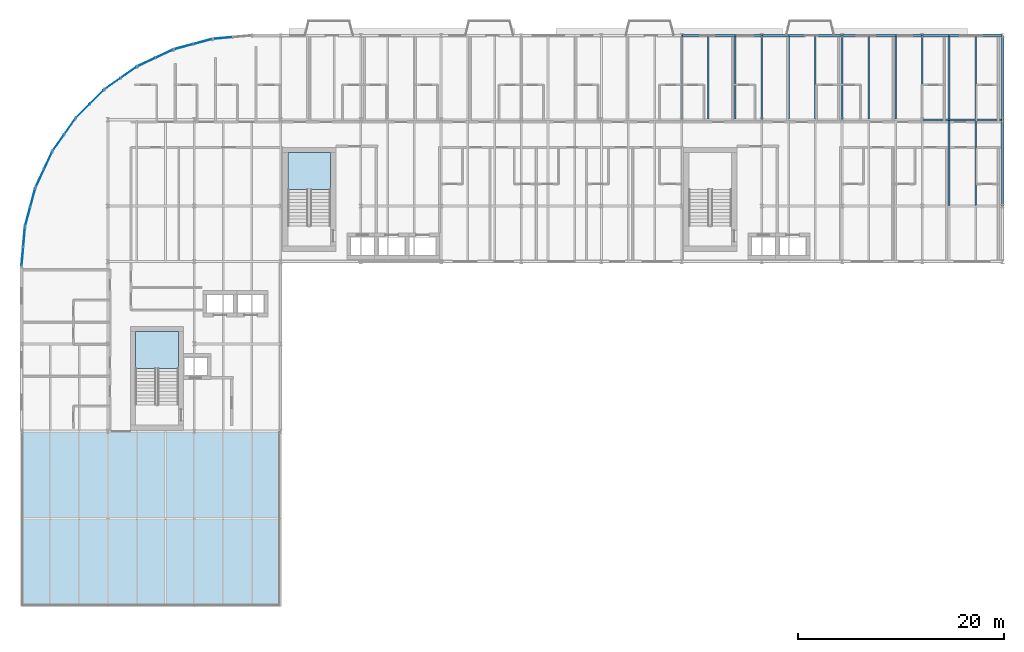
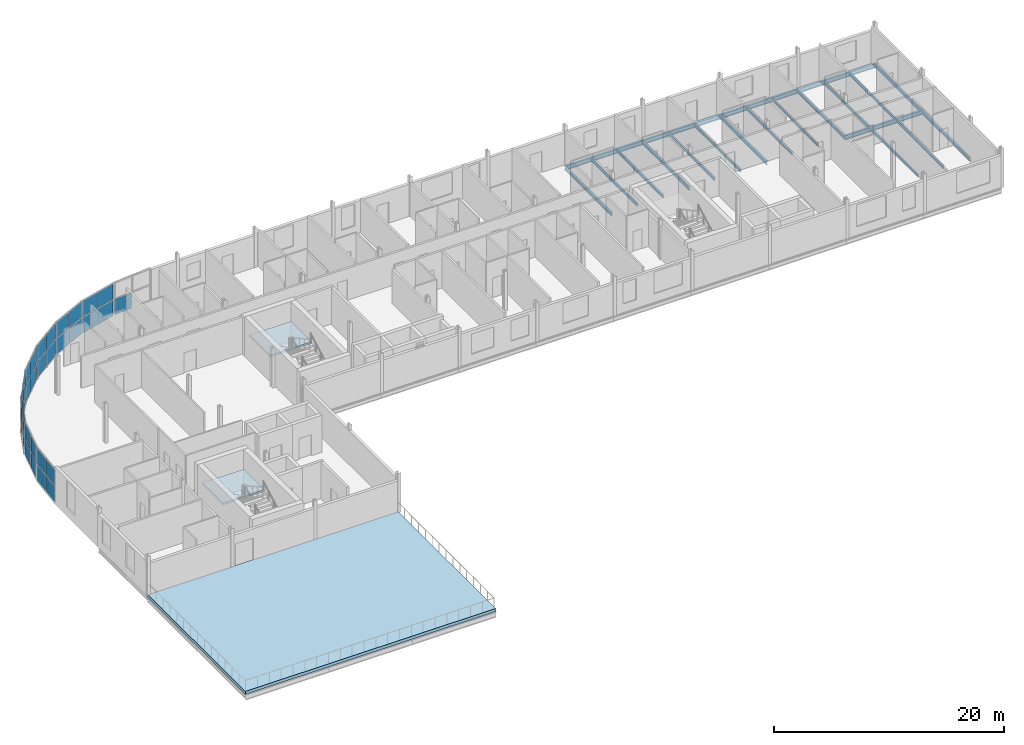
# One storey, part 9 of 22: 33 plates, 21 beams, 3 slabs, 11 elements without a shape of their own.
"""IFC4 building model written with IfcOpenShell, lengths in metres."""

from ifc_helpers import new_model, si_unit, direction, frame, origin, origin_2d, place, context, subcontext, project, spatial, polyline, rectangle, i_section, outline, extrude, material, layer, layer_set, material_profile, profile_set, type_object, element, aggregate, save


model = new_model("IFC4")

# Units and contexts
model_context = context("Model", 3, precision=1e-05, world=origin(), true_north=direction((0.0, 1.0)))
body_context = subcontext(model_context, "Body", "Model", "MODEL_VIEW")
ifc_project = project(units=[si_unit("LENGTHUNIT", "METRE"), si_unit("AREAUNIT", "SQUARE_METRE"), si_unit("VOLUMEUNIT", "CUBIC_METRE"), si_unit("PLANEANGLEUNIT", "RADIAN"), si_unit("MASSUNIT", "GRAM", prefix="KILO")], contexts=[model_context])

# Site, building, storey
site_placement = place(None, origin())
site = spatial("IfcSite", under=ifc_project, at=site_placement, CompositionType="ELEMENT")
building_placement = place(site_placement, origin())
building = spatial("IfcBuilding", under=site, at=building_placement, Name="Sefraquen Railside Congress Hotel", CompositionType="ELEMENT")
storey_placement = place(building_placement, frame((0.0, 0.0, 42.60009765625)))
storey = spatial("IfcBuildingStorey", under=building, at=storey_placement, Name="L10", CompositionType="ELEMENT", Elevation=42.60009765625)

# Beams
ifc_material_1 = material(Name="Steel S355JR", Category="steel")
ifc_material_profile_1 = material_profile(ifc_material_1, i_section(OverallWidth=0.169921875, OverallDepth=0.360107421875, WebThickness=0.008056640625, FlangeThickness=0.0126953125, FilletRadius=0.01806640625, at=origin_2d()), Name="IPE 360")
ifc_profile_set_1 = profile_set([ifc_material_profile_1], Name="Steel S355JR")
beam_type_1 = type_object("IfcBeamType", Name="TB-BM-360", PredefinedType="BEAM", material=ifc_profile_set_1)
for number, where, z_axis, x_axis, name in (
    (1, (64.199951171875, 109.800048828125, -0.400146484375), (0.0, 1.0, 0.0), (-1.0, 0.0, 0.0), "Floor beam BM-L10-2136"),
    (2, (72.0, 109.800048828125, -0.400146484375), (0.0, 1.0, 0.0), (-1.0, 0.0, 0.0), "Floor beam BM-L10-2139"),
    (3, (79.800048828125, 109.800048828125, -0.400146484375), (0.0, 1.0, 0.0), (-1.0, 0.0, 0.0), "Floor beam BM-L10-2142"),
    (4, (87.60009765625, 109.800048828125, -0.400146484375), (0.0, 1.0, 0.0), (-1.0, 0.0, 0.0), "Floor beam BM-L10-2145"),
):
    element("IfcBeam", number, at=place(storey_placement, frame(where, z_axis=z_axis, x_axis=x_axis)), inside=storey, type_object=beam_type_1, Name=name, PredefinedType="BEAM", context=body_context, shape_type="SweptSolid", body=[
        extrude(i_section(OverallWidth=0.169921875, OverallDepth=0.360107421875, WebThickness=0.008056640625, FlangeThickness=0.0126953125, FilletRadius=0.01806640625, at=origin_2d()), origin(), (0.0, 0.0, 1.0), 8.199951171875),
    ])
beam_1_placement = place(storey_placement, frame((95.39990234375, 101.39990234375, -0.400146484375), z_axis=(0.0, 1.0, 0.0), x_axis=(-1.0, 0.0, 0.0)))
element("IfcBeam", 5, at=beam_1_placement, inside=storey, type_object=beam_type_1, Name="Floor beam BM-L10-2147", PredefinedType="BEAM", context=body_context, shape_type="SweptSolid", body=[
    extrude(i_section(OverallWidth=0.169921875, OverallDepth=0.360107421875, WebThickness=0.008056640625, FlangeThickness=0.0126953125, FilletRadius=0.01806640625, at=origin_2d()), origin(), (0.0, 0.0, 1.0), 8.400146484375),
])
beam_2_placement = place(storey_placement, frame((95.39990234375, 109.800048828125, -0.400146484375), z_axis=(0.0, 1.0, 0.0), x_axis=(-1.0, 0.0, 0.0)))
element("IfcBeam", 6, at=beam_2_placement, inside=storey, type_object=beam_type_1, Name="Floor beam BM-L10-2148", PredefinedType="BEAM", context=body_context, shape_type="SweptSolid", body=[
    extrude(i_section(OverallWidth=0.169921875, OverallDepth=0.360107421875, WebThickness=0.008056640625, FlangeThickness=0.0126953125, FilletRadius=0.01806640625, at=origin_2d()), origin(), (0.0, 0.0, 1.0), 8.199951171875),
])
ifc_material_profile_2 = material_profile(ifc_material_1, i_section(OverallWidth=0.18994140625, OverallDepth=0.449951171875, WebThickness=0.009521484375, FlangeThickness=0.0146484375, FilletRadius=0.02099609375, at=origin_2d()), Name="IPE 450")
ifc_profile_set_2 = profile_set([ifc_material_profile_2], Name="Steel S355JR")
beam_type_2 = type_object("IfcBeamType", Name="TB-BM-450", PredefinedType="BEAM", material=ifc_profile_set_2)
beam_3_placement = place(storey_placement, frame((87.60009765625, 109.800048828125, -0.445068359375), z_axis=(1.0, 0.0, 0.0), x_axis=(0.0, 1.0, 0.0)))
element("IfcBeam", 7, at=beam_3_placement, inside=storey, type_object=beam_type_2, Name="Primary girder BM-L10-2090", PredefinedType="BEAM", context=body_context, shape_type="SweptSolid", body=[
    extrude(i_section(OverallWidth=0.18994140625, OverallDepth=0.449951171875, WebThickness=0.009521484375, FlangeThickness=0.0146484375, FilletRadius=0.02099609375, at=origin_2d()), origin(), (0.0, 0.0, 1.0), 7.7998046875),
])
for number, where, z_axis, x_axis, name in (
    (8, (64.199951171875, 118.0, -0.445068359375), (1.0, 0.0, 0.0), (0.0, 1.0, 0.0), "Primary girder BM-L10-2096"),
    (9, (72.0, 118.0, -0.445068359375), (1.0, 0.0, 0.0), (0.0, 1.0, 0.0), "Primary girder BM-L10-2097"),
    (10, (79.800048828125, 118.0, -0.445068359375), (1.0, 0.0, 0.0), (0.0, 1.0, 0.0), "Primary girder BM-L10-2098"),
):
    element("IfcBeam", number, at=place(storey_placement, frame(where, z_axis=z_axis, x_axis=x_axis)), inside=storey, type_object=beam_type_2, Name=name, PredefinedType="BEAM", context=body_context, shape_type="SweptSolid", body=[
        extrude(i_section(OverallWidth=0.18994140625, OverallDepth=0.449951171875, WebThickness=0.009521484375, FlangeThickness=0.0146484375, FilletRadius=0.02099609375, at=origin_2d()), origin(), (0.0, 0.0, 1.0), 7.800048828125),
    ])
beam_4_placement = place(storey_placement, frame((87.60009765625, 118.0, -0.445068359375), z_axis=(1.0, 0.0, 0.0), x_axis=(0.0, 1.0, 0.0)))
element("IfcBeam", 11, at=beam_4_placement, inside=storey, type_object=beam_type_2, Name="Primary girder BM-L10-2099", PredefinedType="BEAM", context=body_context, shape_type="SweptSolid", body=[
    extrude(i_section(OverallWidth=0.18994140625, OverallDepth=0.449951171875, WebThickness=0.009521484375, FlangeThickness=0.0146484375, FilletRadius=0.02099609375, at=origin_2d()), origin(), (0.0, 0.0, 1.0), 7.7998046875),
])
ifc_material_profile_3 = material_profile(ifc_material_1, i_section(OverallWidth=0.14990234375, OverallDepth=0.300048828125, WebThickness=0.007080078125, FlangeThickness=0.0107421875, FilletRadius=0.014892578125, at=origin_2d()), Name="IPE 300")
ifc_profile_set_3 = profile_set([ifc_material_profile_3], Name="Steel S355JR")
beam_type_3 = type_object("IfcBeamType", Name="TB-JST-300", PredefinedType="JOIST", material=ifc_profile_set_3)
for number, where, z_axis, x_axis, name in (
    (12, (66.800048828125, 109.875, -0.3701171875), (0.0, 1.0, 0.0), (-1.0, 0.0, 0.0), "Composite floor joist BM-L10-J1448"),
    (13, (69.39990234375, 109.875, -0.3701171875), (0.0, 1.0, 0.0), (-1.0, 0.0, 0.0), "Composite floor joist BM-L10-J1449"),
    (14, (74.60009765625, 109.875, -0.3701171875), (0.0, 1.0, 0.0), (-1.0, 0.0, 0.0), "Composite floor joist BM-L10-J1454"),
    (15, (77.199951171875, 109.875, -0.3701171875), (0.0, 1.0, 0.0), (-1.0, 0.0, 0.0), "Composite floor joist BM-L10-J1455"),
    (16, (82.39990234375, 109.875, -0.3701171875), (0.0, 1.0, 0.0), (-1.0, 0.0, 0.0), "Composite floor joist BM-L10-J1460"),
    (17, (85.0, 109.875, -0.3701171875), (0.0, 1.0, 0.0), (-1.0, 0.0, 0.0), "Composite floor joist BM-L10-J1461"),
):
    element("IfcBeam", number, at=place(storey_placement, frame(where, z_axis=z_axis, x_axis=x_axis)), inside=storey, type_object=beam_type_3, Name=name, PredefinedType="JOIST", context=body_context, shape_type="SweptSolid", body=[
        extrude(i_section(OverallWidth=0.14990234375, OverallDepth=0.300048828125, WebThickness=0.007080078125, FlangeThickness=0.0107421875, FilletRadius=0.014892578125, at=origin_2d()), origin(), (0.0, 0.0, 1.0), 8.050048828125),
    ])
for number, where, z_axis, x_axis, name in (
    (18, (90.199951171875, 101.47509765625, -0.3701171875), (0.0, 1.0, 0.0), (-1.0, 0.0, 0.0), "Composite floor joist BM-L10-J1464"),
    (19, (92.800048828125, 101.47509765625, -0.3701171875), (0.0, 1.0, 0.0), (-1.0, 0.0, 0.0), "Composite floor joist BM-L10-J1465"),
):
    element("IfcBeam", number, at=place(storey_placement, frame(where, z_axis=z_axis, x_axis=x_axis)), inside=storey, type_object=beam_type_3, Name=name, PredefinedType="JOIST", context=body_context, shape_type="SweptSolid", body=[
        extrude(i_section(OverallWidth=0.14990234375, OverallDepth=0.300048828125, WebThickness=0.007080078125, FlangeThickness=0.0107421875, FilletRadius=0.014892578125, at=origin_2d()), origin(), (0.0, 0.0, 1.0), 8.25),
    ])
for number, where, z_axis, x_axis, name in (
    (20, (90.199951171875, 109.875, -0.3701171875), (0.0, 1.0, 0.0), (-1.0, 0.0, 0.0), "Composite floor joist BM-L10-J1466"),
    (21, (92.800048828125, 109.875, -0.3701171875), (0.0, 1.0, 0.0), (-1.0, 0.0, 0.0), "Composite floor joist BM-L10-J1467"),
):
    element("IfcBeam", number, at=place(storey_placement, frame(where, z_axis=z_axis, x_axis=x_axis)), inside=storey, type_object=beam_type_3, Name=name, PredefinedType="JOIST", context=body_context, shape_type="SweptSolid", body=[
        extrude(i_section(OverallWidth=0.14990234375, OverallDepth=0.300048828125, WebThickness=0.007080078125, FlangeThickness=0.0107421875, FilletRadius=0.014892578125, at=origin_2d()), origin(), (0.0, 0.0, 1.0), 8.050048828125),
    ])

# Curtain wall, plate
ifc_material_2 = material(Name="Thermally broken anodised aluminium and low-E double glazing", Category="aluminium")
ifc_layer_1 = layer(ifc_material_2, 0.199951171875)
ifc_layer_set_1 = layer_set([ifc_layer_1], Name="Thermally broken anodised aluminium and low-E double glazing")
curtain_wall_type_1 = type_object("IfcCurtainWallType", Name="TCW-UCW-27", PredefinedType="USERDEFINED", material=ifc_layer_set_1)
curtain_wall_1_placement = place(storey_placement, origin())
curtain_wall_1 = element("IfcCurtainWall", 22, at=curtain_wall_1_placement, inside=storey, type_object=curtain_wall_type_1, Name="Rotunda L10 curved curtain wall facet 1", ObjectType="UNITISED CURTAIN WALL", PredefinedType="USERDEFINED")
ifc_material_3 = material(Name="Solar-control low-E double glazing", Category="glass")
ifc_layer_2 = layer(ifc_material_3, 0.02392578125)
ifc_layer_set_2 = layer_set([ifc_layer_2], Name="Solar-control low-E double glazing")
plate_type_1 = type_object("IfcPlateType", Name="TP-CWP-01", PredefinedType="CURTAIN_PANEL", material=ifc_layer_set_2)
plate_1_placement = place(storey_placement, frame((19.589599609375, 117.745361328125, 0.039794921875), z_axis=(0.0, 0.0, 1.0), x_axis=(-0.996196219095, -0.087138355857, 0.0)))
plate_1 = element("IfcPlate", 23, at=plate_1_placement, type_object=plate_type_1, Name="CW-L10-ROT-01 panel 1.2", PredefinedType="CURTAIN_PANEL", context=body_context, shape_type="SweptSolid", body=[
    extrude(rectangle(XDim=1.8310546875, YDim=0.02392578125, at=origin_2d()), origin(), (0.0, 0.0, 1.0), 1.6650390625),
])
aggregate(curtain_wall_1, [plate_1])

# Curtain wall, plates
ifc_layer_3 = layer(ifc_material_2, 0.199951171875)
ifc_layer_set_3 = layer_set([ifc_layer_3], Name="Thermally broken anodised aluminium and low-E double glazing")
curtain_wall_type_2 = type_object("IfcCurtainWallType", Name="TCW-UCW-28", PredefinedType="USERDEFINED", material=ifc_layer_set_3)
curtain_wall_2_placement = place(storey_placement, origin())
curtain_wall_2 = element("IfcCurtainWall", 24, at=curtain_wall_2_placement, inside=storey, type_object=curtain_wall_type_2, Name="Rotunda L10 curved curtain wall facet 2", ObjectType="UNITISED CURTAIN WALL", PredefinedType="USERDEFINED")
plate_2_placement = place(storey_placement, frame((17.62646484375, 117.399169921875, 0.039794921875), z_axis=(0.0, 0.0, 1.0), x_axis=(-0.96593486019, -0.258785327773, 0.0)))
plate_2 = element("IfcPlate", 25, at=plate_2_placement, type_object=plate_type_1, Name="CW-L10-ROT-02 panel 1.1", PredefinedType="CURTAIN_PANEL", context=body_context, shape_type="SweptSolid", body=[
    extrude(rectangle(XDim=1.8310546875, YDim=0.02392578125, at=origin_2d()), origin(), (0.0, 0.0, 1.0), 1.6650390625),
])
plate_3_placement = place(storey_placement, frame((15.77099609375, 116.902099609375, 0.039794921875), z_axis=(0.0, 0.0, 1.0), x_axis=(-0.96593486019, -0.258785327773, 0.0)))
plate_3 = element("IfcPlate", 26, at=plate_3_placement, type_object=plate_type_1, Name="CW-L10-ROT-02 panel 1.2", PredefinedType="CURTAIN_PANEL", context=body_context, shape_type="SweptSolid", body=[
    extrude(rectangle(XDim=1.8310546875, YDim=0.02392578125, at=origin_2d()), origin(), (0.0, 0.0, 1.0), 1.6650390625),
])

ifc_layer_4 = layer(ifc_material_2, 0.199951171875)
ifc_layer_set_4 = layer_set([ifc_layer_4], Name="Thermally broken anodised aluminium and low-E double glazing")
curtain_wall_type_3 = type_object("IfcCurtainWallType", Name="TCW-UCW-29", PredefinedType="USERDEFINED", material=ifc_layer_set_4)
curtain_wall_3_placement = place(storey_placement, origin())
curtain_wall_3 = element("IfcCurtainWall", 27, at=curtain_wall_3_placement, inside=storey, type_object=curtain_wall_type_3, Name="Rotunda L10 curved curtain wall facet 3", ObjectType="UNITISED CURTAIN WALL", PredefinedType="USERDEFINED")
plate_4_placement = place(storey_placement, frame((13.897705078125, 116.22021484375, 0.039794921875), z_axis=(0.0, 0.0, 1.0), x_axis=(-0.906300410818, -0.422634079731, 0.0)))
plate_4 = element("IfcPlate", 28, at=plate_4_placement, type_object=plate_type_1, Name="CW-L10-ROT-03 panel 1.1", PredefinedType="CURTAIN_PANEL", context=body_context, shape_type="SweptSolid", body=[
    extrude(rectangle(XDim=1.830810546875, YDim=0.02392578125, at=origin_2d()), origin(), (0.0, 0.0, 1.0), 1.6650390625),
])
plate_5_placement = place(storey_placement, frame((12.15673828125, 115.408447265625, 0.039794921875), z_axis=(0.0, 0.0, 1.0), x_axis=(-0.906300410818, -0.422634079731, 0.0)))
plate_5 = element("IfcPlate", 29, at=plate_5_placement, type_object=plate_type_1, Name="CW-L10-ROT-03 panel 1.2", PredefinedType="CURTAIN_PANEL", context=body_context, shape_type="SweptSolid", body=[
    extrude(rectangle(XDim=1.830810546875, YDim=0.02392578125, at=origin_2d()), origin(), (0.0, 0.0, 1.0), 1.6650390625),
])

ifc_layer_5 = layer(ifc_material_2, 0.199951171875)
ifc_layer_set_5 = layer_set([ifc_layer_5], Name="Thermally broken anodised aluminium and low-E double glazing")
curtain_wall_type_4 = type_object("IfcCurtainWallType", Name="TCW-UCW-30", PredefinedType="USERDEFINED", material=ifc_layer_set_5)
curtain_wall_4_placement = place(storey_placement, origin())
curtain_wall_4 = element("IfcCurtainWall", 30, at=curtain_wall_4_placement, inside=storey, type_object=curtain_wall_type_4, Name="Rotunda L10 curved curtain wall facet 4", ObjectType="UNITISED CURTAIN WALL", PredefinedType="USERDEFINED")
plate_6_placement = place(storey_placement, frame((10.430419921875, 114.411865234375, 0.039794921875), z_axis=(0.0, 0.0, 1.0), x_axis=(-0.819132022195, -0.573605029802, 0.0)))
plate_6 = element("IfcPlate", 31, at=plate_6_placement, type_object=plate_type_1, Name="CW-L10-ROT-04 panel 1.1", PredefinedType="CURTAIN_PANEL", context=body_context, shape_type="SweptSolid", body=[
    extrude(rectangle(XDim=1.8310546875, YDim=0.02392578125, at=origin_2d()), origin(), (0.0, 0.0, 1.0), 1.6650390625),
])
plate_7_placement = place(storey_placement, frame((8.856689453125, 113.309814453125, 0.039794921875), z_axis=(0.0, 0.0, 1.0), x_axis=(-0.819132022195, -0.573605029802, 0.0)))
plate_7 = element("IfcPlate", 32, at=plate_7_placement, type_object=plate_type_1, Name="CW-L10-ROT-04 panel 1.2", PredefinedType="CURTAIN_PANEL", context=body_context, shape_type="SweptSolid", body=[
    extrude(rectangle(XDim=1.8310546875, YDim=0.02392578125, at=origin_2d()), origin(), (0.0, 0.0, 1.0), 1.6650390625),
])

ifc_layer_6 = layer(ifc_material_2, 0.199951171875)
ifc_layer_set_6 = layer_set([ifc_layer_6], Name="Thermally broken anodised aluminium and low-E double glazing")
curtain_wall_type_5 = type_object("IfcCurtainWallType", Name="TCW-UCW-31", PredefinedType="USERDEFINED", material=ifc_layer_set_6)
curtain_wall_5_placement = place(storey_placement, origin())
curtain_wall_5 = element("IfcCurtainWall", 33, at=curtain_wall_5_placement, inside=storey, type_object=curtain_wall_type_5, Name="Rotunda L10 curved curtain wall facet 5", ObjectType="UNITISED CURTAIN WALL", PredefinedType="USERDEFINED")
plate_8_placement = place(storey_placement, frame((7.329833984375, 112.028564453125, 0.039794921875), z_axis=(0.0, 0.0, 1.0), x_axis=(-0.707106781187, -0.707106781187, 0.0)))
plate_8 = element("IfcPlate", 34, at=plate_8_placement, type_object=plate_type_1, Name="CW-L10-ROT-05 panel 1.1", PredefinedType="CURTAIN_PANEL", context=body_context, shape_type="SweptSolid", body=[
    extrude(rectangle(XDim=1.8310546875, YDim=0.02392578125, at=origin_2d()), origin(), (0.0, 0.0, 1.0), 1.6650390625),
])
plate_9_placement = place(storey_placement, frame((5.971435546875, 110.670166015625, 0.039794921875), z_axis=(0.0, 0.0, 1.0), x_axis=(-0.707106781187, -0.707106781187, 0.0)))
plate_9 = element("IfcPlate", 35, at=plate_9_placement, type_object=plate_type_1, Name="CW-L10-ROT-05 panel 1.2", PredefinedType="CURTAIN_PANEL", context=body_context, shape_type="SweptSolid", body=[
    extrude(rectangle(XDim=1.8310546875, YDim=0.02392578125, at=origin_2d()), origin(), (0.0, 0.0, 1.0), 1.6650390625),
])

ifc_layer_7 = layer(ifc_material_2, 0.199951171875)
ifc_layer_set_7 = layer_set([ifc_layer_7], Name="Thermally broken anodised aluminium and low-E double glazing")
curtain_wall_type_6 = type_object("IfcCurtainWallType", Name="TCW-UCW-32", PredefinedType="USERDEFINED", material=ifc_layer_set_7)
curtain_wall_6_placement = place(storey_placement, origin())
curtain_wall_6 = element("IfcCurtainWall", 36, at=curtain_wall_6_placement, inside=storey, type_object=curtain_wall_type_6, Name="Rotunda L10 curved curtain wall facet 6", ObjectType="UNITISED CURTAIN WALL", PredefinedType="USERDEFINED")
plate_10_placement = place(storey_placement, frame((4.690185546875, 109.14306640625, 0.039794921875), z_axis=(0.0, 0.0, 1.0), x_axis=(-0.573605029802, -0.819132022195, 0.0)))
plate_10 = element("IfcPlate", 37, at=plate_10_placement, type_object=plate_type_1, Name="CW-L10-ROT-06 panel 1.1", PredefinedType="CURTAIN_PANEL", context=body_context, shape_type="SweptSolid", body=[
    extrude(rectangle(XDim=1.8310546875, YDim=0.02392578125, at=origin_2d()), origin(), (0.0, 0.0, 1.0), 1.6650390625),
])
plate_11_placement = place(storey_placement, frame((3.58837890625, 107.569580078125, 0.039794921875), z_axis=(0.0, 0.0, 1.0), x_axis=(-0.573605029802, -0.819132022195, 0.0)))
plate_11 = element("IfcPlate", 38, at=plate_11_placement, type_object=plate_type_1, Name="CW-L10-ROT-06 panel 1.2", PredefinedType="CURTAIN_PANEL", context=body_context, shape_type="SweptSolid", body=[
    extrude(rectangle(XDim=1.8310546875, YDim=0.02392578125, at=origin_2d()), origin(), (0.0, 0.0, 1.0), 1.6650390625),
])

ifc_layer_8 = layer(ifc_material_2, 0.199951171875)
ifc_layer_set_8 = layer_set([ifc_layer_8], Name="Thermally broken anodised aluminium and low-E double glazing")
curtain_wall_type_7 = type_object("IfcCurtainWallType", Name="TCW-UCW-01", PredefinedType="USERDEFINED", material=ifc_layer_set_8)
curtain_wall_7_placement = place(storey_placement, origin())
curtain_wall_7 = element("IfcCurtainWall", 39, at=curtain_wall_7_placement, inside=storey, type_object=curtain_wall_type_7, Name="Rotunda L10 curved curtain wall facet 7", ObjectType="UNITISED CURTAIN WALL", PredefinedType="USERDEFINED")
plate_12_placement = place(storey_placement, frame((2.591552734375, 105.84326171875, 0.039794921875), z_axis=(0.0, 0.0, 1.0), x_axis=(-0.422634079731, -0.906300410818, 0.0)))
plate_12 = element("IfcPlate", 40, at=plate_12_placement, type_object=plate_type_1, Name="CW-L10-ROT-07 panel 1.1", PredefinedType="CURTAIN_PANEL", context=body_context, shape_type="SweptSolid", body=[
    extrude(rectangle(XDim=1.830810546875, YDim=0.02392578125, at=origin_2d()), origin(), (0.0, 0.0, 1.0), 1.6650390625),
])
plate_13_placement = place(storey_placement, frame((1.77978515625, 104.102294921875, 0.039794921875), z_axis=(0.0, 0.0, 1.0), x_axis=(-0.422634079731, -0.906300410818, 0.0)))
plate_13 = element("IfcPlate", 41, at=plate_13_placement, type_object=plate_type_1, Name="CW-L10-ROT-07 panel 1.2", PredefinedType="CURTAIN_PANEL", context=body_context, shape_type="SweptSolid", body=[
    extrude(rectangle(XDim=1.830810546875, YDim=0.02392578125, at=origin_2d()), origin(), (0.0, 0.0, 1.0), 1.6650390625),
])

ifc_layer_9 = layer(ifc_material_2, 0.199951171875)
ifc_layer_set_9 = layer_set([ifc_layer_9], Name="Thermally broken anodised aluminium and low-E double glazing")
curtain_wall_type_8 = type_object("IfcCurtainWallType", Name="TCW-UCW-02", PredefinedType="USERDEFINED", material=ifc_layer_set_9)
curtain_wall_8_placement = place(storey_placement, origin())
curtain_wall_8 = element("IfcCurtainWall", 42, at=curtain_wall_8_placement, inside=storey, type_object=curtain_wall_type_8, Name="Rotunda L10 curved curtain wall facet 8", ObjectType="UNITISED CURTAIN WALL", PredefinedType="USERDEFINED")
plate_14_placement = place(storey_placement, frame((1.097900390625, 102.22900390625, 0.039794921875), z_axis=(0.0, 0.0, 1.0), x_axis=(-0.258785327773, -0.96593486019, 0.0)))
plate_14 = element("IfcPlate", 43, at=plate_14_placement, type_object=plate_type_1, Name="CW-L10-ROT-08 panel 1.1", PredefinedType="CURTAIN_PANEL", context=body_context, shape_type="SweptSolid", body=[
    extrude(rectangle(XDim=1.8310546875, YDim=0.02392578125, at=origin_2d()), origin(), (0.0, 0.0, 1.0), 1.6650390625),
])
plate_15_placement = place(storey_placement, frame((0.6005859375, 100.37353515625, 0.039794921875), z_axis=(0.0, 0.0, 1.0), x_axis=(-0.258785327773, -0.96593486019, 0.0)))
plate_15 = element("IfcPlate", 44, at=plate_15_placement, type_object=plate_type_1, Name="CW-L10-ROT-08 panel 1.2", PredefinedType="CURTAIN_PANEL", context=body_context, shape_type="SweptSolid", body=[
    extrude(rectangle(XDim=1.8310546875, YDim=0.02392578125, at=origin_2d()), origin(), (0.0, 0.0, 1.0), 1.6650390625),
])

ifc_layer_10 = layer(ifc_material_2, 0.199951171875)
ifc_layer_set_10 = layer_set([ifc_layer_10], Name="Thermally broken anodised aluminium and low-E double glazing")
curtain_wall_type_9 = type_object("IfcCurtainWallType", Name="TCW-UCW-03", PredefinedType="USERDEFINED", material=ifc_layer_set_10)
curtain_wall_9_placement = place(storey_placement, origin())
curtain_wall_9 = element("IfcCurtainWall", 45, at=curtain_wall_9_placement, inside=storey, type_object=curtain_wall_type_9, Name="Rotunda L10 curved curtain wall facet 9", ObjectType="UNITISED CURTAIN WALL", PredefinedType="USERDEFINED")
plate_16_placement = place(storey_placement, frame((0.254638671875, 98.410400390625, 0.039794921875), z_axis=(0.0, 0.0, 1.0), x_axis=(-0.087138355857, -0.996196219095, 0.0)))
plate_16 = element("IfcPlate", 46, at=plate_16_placement, type_object=plate_type_1, Name="CW-L10-ROT-09 panel 1.1", PredefinedType="CURTAIN_PANEL", context=body_context, shape_type="SweptSolid", body=[
    extrude(rectangle(XDim=1.8310546875, YDim=0.02392578125, at=origin_2d()), origin(), (0.0, 0.0, 1.0), 1.6650390625),
])
plate_17_placement = place(storey_placement, frame((0.087158203125, 96.49658203125, 0.039794921875), z_axis=(0.0, 0.0, 1.0), x_axis=(-0.087138355857, -0.996196219095, 0.0)))
plate_17 = element("IfcPlate", 47, at=plate_17_placement, type_object=plate_type_1, Name="CW-L10-ROT-09 panel 1.2", PredefinedType="CURTAIN_PANEL", context=body_context, shape_type="SweptSolid", body=[
    extrude(rectangle(XDim=1.8310546875, YDim=0.02392578125, at=origin_2d()), origin(), (0.0, 0.0, 1.0), 1.6650390625),
])

# Plate
ifc_material_4 = material(Name="Triple acoustic solar-control glazing", Category="glass")
ifc_layer_11 = layer(ifc_material_4, 0.031982421875)
ifc_layer_set_11 = layer_set([ifc_layer_11], Name="Triple acoustic solar-control glazing")
plate_type_2 = type_object("IfcPlateType", Name="TP-CWP-02", PredefinedType="CURTAIN_PANEL", material=ifc_layer_set_11)
plate_18_placement = place(storey_placement, frame((17.62646484375, 117.399169921875, 1.784912109375), z_axis=(0.0, 0.0, 1.0), x_axis=(-0.96593486019, -0.258785327773, 0.0)))
plate_18 = element("IfcPlate", 48, at=plate_18_placement, type_object=plate_type_2, Name="CW-L10-ROT-02 panel 2.1", PredefinedType="CURTAIN_PANEL", context=body_context, shape_type="SweptSolid", body=[
    extrude(rectangle(XDim=1.8310546875, YDim=0.031982421875, at=origin_2d()), origin(), (0.0, 0.0, 1.0), 1.6650390625),
])

plate_19_placement = place(storey_placement, frame((15.77099609375, 116.902099609375, 1.784912109375), z_axis=(0.0, 0.0, 1.0), x_axis=(-0.96593486019, -0.258785327773, 0.0)))
plate_19 = element("IfcPlate", 49, at=plate_19_placement, type_object=plate_type_2, Name="CW-L10-ROT-02 panel 2.2", PredefinedType="CURTAIN_PANEL", context=body_context, shape_type="SweptSolid", body=[
    extrude(rectangle(XDim=1.8310546875, YDim=0.031982421875, at=origin_2d()), origin(), (0.0, 0.0, 1.0), 1.6650390625),
])

aggregate(curtain_wall_2, [plate_2, plate_3, plate_18, plate_19])

plate_20_placement = place(storey_placement, frame((13.897705078125, 116.22021484375, 1.784912109375), z_axis=(0.0, 0.0, 1.0), x_axis=(-0.906300410818, -0.422634079731, 0.0)))
plate_20 = element("IfcPlate", 50, at=plate_20_placement, type_object=plate_type_2, Name="CW-L10-ROT-03 panel 2.1", PredefinedType="CURTAIN_PANEL", context=body_context, shape_type="SweptSolid", body=[
    extrude(rectangle(XDim=1.830810546875, YDim=0.031982421875, at=origin_2d()), origin(), (0.0, 0.0, 1.0), 1.6650390625),
])

plate_21_placement = place(storey_placement, frame((12.15673828125, 115.408447265625, 1.784912109375), z_axis=(0.0, 0.0, 1.0), x_axis=(-0.906300410818, -0.422634079731, 0.0)))
plate_21 = element("IfcPlate", 51, at=plate_21_placement, type_object=plate_type_2, Name="CW-L10-ROT-03 panel 2.2", PredefinedType="CURTAIN_PANEL", context=body_context, shape_type="SweptSolid", body=[
    extrude(rectangle(XDim=1.830810546875, YDim=0.031982421875, at=origin_2d()), origin(), (0.0, 0.0, 1.0), 1.6650390625),
])

aggregate(curtain_wall_3, [plate_4, plate_5, plate_20, plate_21])

plate_22_placement = place(storey_placement, frame((10.430419921875, 114.411865234375, 1.784912109375), z_axis=(0.0, 0.0, 1.0), x_axis=(-0.819132022195, -0.573605029802, 0.0)))
plate_22 = element("IfcPlate", 52, at=plate_22_placement, type_object=plate_type_2, Name="CW-L10-ROT-04 panel 2.1", PredefinedType="CURTAIN_PANEL", context=body_context, shape_type="SweptSolid", body=[
    extrude(rectangle(XDim=1.8310546875, YDim=0.031982421875, at=origin_2d()), origin(), (0.0, 0.0, 1.0), 1.6650390625),
])

plate_23_placement = place(storey_placement, frame((8.856689453125, 113.309814453125, 1.784912109375), z_axis=(0.0, 0.0, 1.0), x_axis=(-0.819132022195, -0.573605029802, 0.0)))
plate_23 = element("IfcPlate", 53, at=plate_23_placement, type_object=plate_type_2, Name="CW-L10-ROT-04 panel 2.2", PredefinedType="CURTAIN_PANEL", context=body_context, shape_type="SweptSolid", body=[
    extrude(rectangle(XDim=1.8310546875, YDim=0.031982421875, at=origin_2d()), origin(), (0.0, 0.0, 1.0), 1.6650390625),
])

aggregate(curtain_wall_4, [plate_6, plate_7, plate_22, plate_23])

plate_24_placement = place(storey_placement, frame((7.329833984375, 112.028564453125, 1.784912109375), z_axis=(0.0, 0.0, 1.0), x_axis=(-0.707106781187, -0.707106781187, 0.0)))
plate_24 = element("IfcPlate", 54, at=plate_24_placement, type_object=plate_type_2, Name="CW-L10-ROT-05 panel 2.1", PredefinedType="CURTAIN_PANEL", context=body_context, shape_type="SweptSolid", body=[
    extrude(rectangle(XDim=1.8310546875, YDim=0.031982421875, at=origin_2d()), origin(), (0.0, 0.0, 1.0), 1.6650390625),
])

plate_25_placement = place(storey_placement, frame((5.971435546875, 110.670166015625, 1.784912109375), z_axis=(0.0, 0.0, 1.0), x_axis=(-0.707106781187, -0.707106781187, 0.0)))
plate_25 = element("IfcPlate", 55, at=plate_25_placement, type_object=plate_type_2, Name="CW-L10-ROT-05 panel 2.2", PredefinedType="CURTAIN_PANEL", context=body_context, shape_type="SweptSolid", body=[
    extrude(rectangle(XDim=1.8310546875, YDim=0.031982421875, at=origin_2d()), origin(), (0.0, 0.0, 1.0), 1.6650390625),
])

aggregate(curtain_wall_5, [plate_8, plate_9, plate_24, plate_25])

plate_26_placement = place(storey_placement, frame((4.690185546875, 109.14306640625, 1.784912109375), z_axis=(0.0, 0.0, 1.0), x_axis=(-0.573605029802, -0.819132022195, 0.0)))
plate_26 = element("IfcPlate", 56, at=plate_26_placement, type_object=plate_type_2, Name="CW-L10-ROT-06 panel 2.1", PredefinedType="CURTAIN_PANEL", context=body_context, shape_type="SweptSolid", body=[
    extrude(rectangle(XDim=1.8310546875, YDim=0.031982421875, at=origin_2d()), origin(), (0.0, 0.0, 1.0), 1.6650390625),
])

plate_27_placement = place(storey_placement, frame((3.58837890625, 107.569580078125, 1.784912109375), z_axis=(0.0, 0.0, 1.0), x_axis=(-0.573605029802, -0.819132022195, 0.0)))
plate_27 = element("IfcPlate", 57, at=plate_27_placement, type_object=plate_type_2, Name="CW-L10-ROT-06 panel 2.2", PredefinedType="CURTAIN_PANEL", context=body_context, shape_type="SweptSolid", body=[
    extrude(rectangle(XDim=1.8310546875, YDim=0.031982421875, at=origin_2d()), origin(), (0.0, 0.0, 1.0), 1.6650390625),
])

aggregate(curtain_wall_6, [plate_10, plate_11, plate_26, plate_27])

plate_28_placement = place(storey_placement, frame((2.591552734375, 105.84326171875, 1.784912109375), z_axis=(0.0, 0.0, 1.0), x_axis=(-0.422634079731, -0.906300410818, 0.0)))
plate_28 = element("IfcPlate", 58, at=plate_28_placement, type_object=plate_type_2, Name="CW-L10-ROT-07 panel 2.1", PredefinedType="CURTAIN_PANEL", context=body_context, shape_type="SweptSolid", body=[
    extrude(rectangle(XDim=1.830810546875, YDim=0.031982421875, at=origin_2d()), origin(), (0.0, 0.0, 1.0), 1.6650390625),
])

plate_29_placement = place(storey_placement, frame((1.77978515625, 104.102294921875, 1.784912109375), z_axis=(0.0, 0.0, 1.0), x_axis=(-0.422634079731, -0.906300410818, 0.0)))
plate_29 = element("IfcPlate", 59, at=plate_29_placement, type_object=plate_type_2, Name="CW-L10-ROT-07 panel 2.2", PredefinedType="CURTAIN_PANEL", context=body_context, shape_type="SweptSolid", body=[
    extrude(rectangle(XDim=1.830810546875, YDim=0.031982421875, at=origin_2d()), origin(), (0.0, 0.0, 1.0), 1.6650390625),
])

aggregate(curtain_wall_7, [plate_12, plate_13, plate_28, plate_29])

plate_30_placement = place(storey_placement, frame((1.097900390625, 102.22900390625, 1.784912109375), z_axis=(0.0, 0.0, 1.0), x_axis=(-0.258785327773, -0.96593486019, 0.0)))
plate_30 = element("IfcPlate", 60, at=plate_30_placement, type_object=plate_type_2, Name="CW-L10-ROT-08 panel 2.1", PredefinedType="CURTAIN_PANEL", context=body_context, shape_type="SweptSolid", body=[
    extrude(rectangle(XDim=1.8310546875, YDim=0.031982421875, at=origin_2d()), origin(), (0.0, 0.0, 1.0), 1.6650390625),
])

plate_31_placement = place(storey_placement, frame((0.6005859375, 100.37353515625, 1.784912109375), z_axis=(0.0, 0.0, 1.0), x_axis=(-0.258785327773, -0.96593486019, 0.0)))
plate_31 = element("IfcPlate", 61, at=plate_31_placement, type_object=plate_type_2, Name="CW-L10-ROT-08 panel 2.2", PredefinedType="CURTAIN_PANEL", context=body_context, shape_type="SweptSolid", body=[
    extrude(rectangle(XDim=1.8310546875, YDim=0.031982421875, at=origin_2d()), origin(), (0.0, 0.0, 1.0), 1.6650390625),
])

aggregate(curtain_wall_8, [plate_14, plate_15, plate_30, plate_31])

plate_32_placement = place(storey_placement, frame((0.254638671875, 98.410400390625, 1.784912109375), z_axis=(0.0, 0.0, 1.0), x_axis=(-0.087138355857, -0.996196219095, 0.0)))
plate_32 = element("IfcPlate", 62, at=plate_32_placement, type_object=plate_type_2, Name="CW-L10-ROT-09 panel 2.1", PredefinedType="CURTAIN_PANEL", context=body_context, shape_type="SweptSolid", body=[
    extrude(rectangle(XDim=1.8310546875, YDim=0.031982421875, at=origin_2d()), origin(), (0.0, 0.0, 1.0), 1.6650390625),
])

plate_33_placement = place(storey_placement, frame((0.087158203125, 96.49658203125, 1.784912109375), z_axis=(0.0, 0.0, 1.0), x_axis=(-0.087138355857, -0.996196219095, 0.0)))
plate_33 = element("IfcPlate", 63, at=plate_33_placement, type_object=plate_type_2, Name="CW-L10-ROT-09 panel 2.2", PredefinedType="CURTAIN_PANEL", context=body_context, shape_type="SweptSolid", body=[
    extrude(rectangle(XDim=1.8310546875, YDim=0.031982421875, at=origin_2d()), origin(), (0.0, 0.0, 1.0), 1.6650390625),
])

aggregate(curtain_wall_9, [plate_16, plate_17, plate_32, plate_33])

# Stair, slab
ifc_material_5 = material(Name="Concrete C40/50", Category="concrete")
stair_type_1 = type_object("IfcStairType", Name="TST-DOG-198-360", PredefinedType="HALF_TURN_STAIR", material=ifc_material_5)
stair_1_placement = place(storey_placement, origin())
stair_1 = element("IfcStair", 64, at=stair_1_placement, inside=storey, type_object=stair_type_1, Name="L10 Pressurized escape stair ST-H01", PredefinedType="HALF_TURN_STAIR")
ifc_layer_12 = layer(ifc_material_5, 0.199951171875)
ifc_layer_set_12 = layer_set([ifc_layer_12], Name="Concrete C40/50")
slab_type_1 = type_object("IfcSlabType", Name="TS-LD-200", PredefinedType="LANDING", material=ifc_layer_set_12)
slab_1_placement = place(storey_placement, frame((0.0, 0.0, 1.89990234375)))
slab_1 = element("IfcSlab", 65, at=slab_1_placement, type_object=slab_type_1, Name="ST-H01 landing 1", PredefinedType="LANDING", context=body_context, shape_type="SweptSolid", body=[
    extrude(outline(polyline([(15.260009765625, 85.6220703125), (15.260009765625, 89.2119140625), (11.10009765625, 89.2119140625), (11.10009765625, 85.6220703125), (15.260009765625, 85.6220703125)])), origin(), (0.0, 0.0, 1.0), 0.199951171875),
])
aggregate(stair_1, [slab_1])

stair_type_2 = type_object("IfcStairType", Name="TST-DOG-198-420", PredefinedType="HALF_TURN_STAIR", material=ifc_material_5)
stair_2_placement = place(storey_placement, origin())
stair_2 = element("IfcStair", 66, at=stair_2_placement, inside=storey, type_object=stair_type_2, Name="L10 Pressurized escape stair ST-H02", PredefinedType="HALF_TURN_STAIR")
slab_2_placement = place(storey_placement, frame((0.0, 0.0, 1.89990234375)))
slab_2 = element("IfcSlab", 67, at=slab_2_placement, type_object=slab_type_1, Name="ST-H02 landing 1", PredefinedType="LANDING", context=body_context, shape_type="SweptSolid", body=[
    extrude(outline(polyline([(30.06005859375, 103.02197265625), (30.06005859375, 106.612060546875), (25.89990234375, 106.612060546875), (25.89990234375, 103.02197265625), (30.06005859375, 103.02197265625)])), origin(), (0.0, 0.0, 1.0), 0.199951171875),
])
aggregate(stair_2, [slab_2])

# Slab
ifc_layer_13 = layer(ifc_material_5, 0.320068359375)
ifc_layer_set_13 = layer_set([ifc_layer_13], Name="Concrete C40/50")
slab_type_2 = type_object("IfcSlabType", Name="TS-TR-320", PredefinedType="FLOOR", material=ifc_layer_set_13)
slab_3_placement = place(storey_placement, frame((0.0, 0.0, -0.320068359375)))
element("IfcSlab", 68, at=slab_3_placement, inside=storey, type_object=slab_type_2, Name="Hotel Diplomatic Sky Terrace L10 outdoor slab", PredefinedType="FLOOR", context=body_context, shape_type="SweptSolid", body=[
    extrude(outline(polyline([(0.0, 62.5), (25.199951171875, 62.5), (25.199951171875, 79.5), (0.0, 79.5), (0.0, 62.5)])), origin(), (0.0, 0.0, 1.0), 0.320068359375),
])

save(model, "model.ifc")
